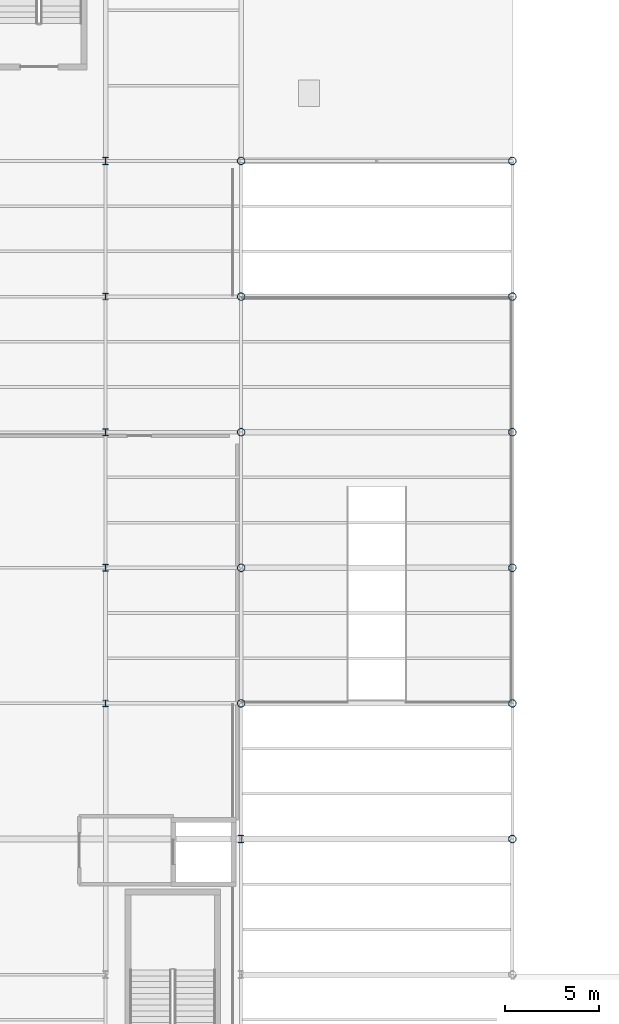
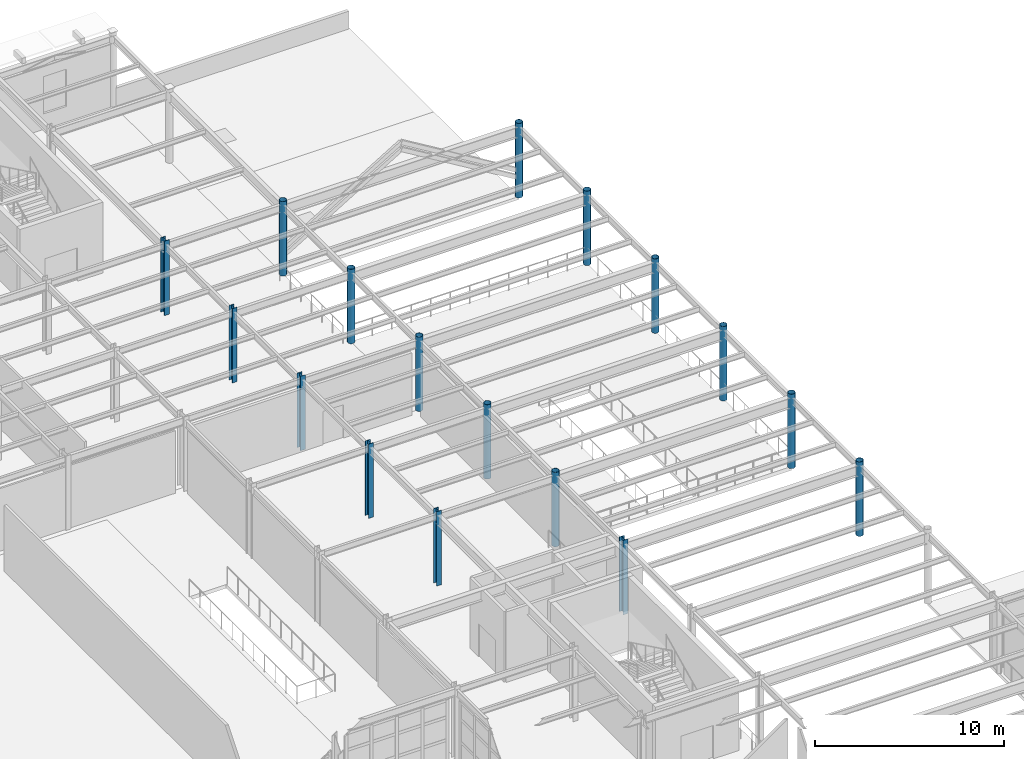
# One storey, part 12 of 126: 17 columns.
"""IFC4 building model written with IfcOpenShell, lengths in metres."""

from ifc_helpers import new_model, si_unit, direction, frame, origin, origin_2d, place, context, subcontext, project, spatial, hollow_circle, i_section, extrude, material, material_profile, profile_set, type_object, element, save


model = new_model("IFC4")

# Units and contexts
model_context = context("Model", 3, precision=1e-05, world=origin(), true_north=direction((0.0, 1.0)))
body_context = subcontext(model_context, "Body", "Model", "MODEL_VIEW")
ifc_project = project(units=[si_unit("LENGTHUNIT", "METRE"), si_unit("AREAUNIT", "SQUARE_METRE"), si_unit("VOLUMEUNIT", "CUBIC_METRE"), si_unit("PLANEANGLEUNIT", "RADIAN"), si_unit("MASSUNIT", "GRAM", prefix="KILO")], contexts=[model_context])

# Site, building, storey
site_placement = place(None, origin())
site = spatial("IfcSite", under=ifc_project, at=site_placement, CompositionType="ELEMENT")
building_placement = place(site_placement, origin())
building = spatial("IfcBuilding", under=site, at=building_placement, Name="Solvadek Multi-Sports Hall", CompositionType="ELEMENT")
storey_placement = place(building_placement, frame((0.0, 0.0, 9.60009765625)))
storey = spatial("IfcBuildingStorey", under=building, at=storey_placement, Name="L02", CompositionType="ELEMENT", Elevation=9.60009765625)

# Columns
ifc_material = material(Name="Steel E350 (350 MPa)", Category="steel")
ifc_material_profile_1 = material_profile(ifc_material, hollow_circle(Radius=0.203125, WallThickness=0.01611328125, at=origin_2d()), Name="CHS 406.4x16")
ifc_profile_set_1 = profile_set([ifc_material_profile_1], Name="Steel E350 (350 MPa)")
column_type_1 = type_object("IfcColumnType", Name="STR-COL-CHS406", PredefinedType="COLUMN", material=ifc_profile_set_1)
for number, where, z_axis, x_axis, name in (
    (1, (72.0, 63.60009765625, 0.0), (0.0, 0.0, 1.0), (1.0, 0.0, 0.0), "L02 Column C-11 #153"),
    (2, (72.0, 70.800048828125, 0.0), (0.0, 0.0, 1.0), (1.0, 0.0, 0.0), "L02 Column C-11 #154"),
    (3, (72.0, 78.0, 0.0), (0.0, 0.0, 1.0), (1.0, 0.0, 0.0), "L02 Column C-11 #155"),
    (4, (72.0, 85.199951171875, 0.0), (0.0, 0.0, 1.0), (1.0, 0.0, 0.0), "L02 Column C-11 #156"),
    (5, (72.0, 92.39990234375, 0.0), (0.0, 0.0, 1.0), (1.0, 0.0, 0.0), "L02 Column C-11 #157"),
    (6, (86.39990234375, 56.39990234375, 0.0), (0.0, 0.0, 1.0), (1.0, 0.0, 0.0), "L02 Column C-11 #182"),
    (7, (86.39990234375, 63.60009765625, 0.0), (0.0, 0.0, 1.0), (1.0, 0.0, 0.0), "L02 Column C-11 #183"),
    (8, (86.39990234375, 70.800048828125, 0.0), (0.0, 0.0, 1.0), (1.0, 0.0, 0.0), "L02 Column C-11 #184"),
    (9, (86.39990234375, 78.0, 0.0), (0.0, 0.0, 1.0), (1.0, 0.0, 0.0), "L02 Column C-11 #185"),
    (10, (86.39990234375, 85.199951171875, 0.0), (0.0, 0.0, 1.0), (1.0, 0.0, 0.0), "L02 Column C-11 #186"),
    (11, (86.39990234375, 92.39990234375, 0.0), (0.0, 0.0, 1.0), (1.0, 0.0, 0.0), "L02 Column C-11 #187"),
):
    element("IfcColumn", number, at=place(storey_placement, frame(where, z_axis=z_axis, x_axis=x_axis)), inside=storey, type_object=column_type_1, Name=name, PredefinedType="COLUMN", context=body_context, shape_type="SweptSolid", body=[
        extrude(hollow_circle(Radius=0.203125, WallThickness=0.01611328125, at=origin_2d()), origin(), (0.0, 0.0, 1.0), 4.7998046875),
    ])
ifc_material_profile_2 = material_profile(ifc_material, i_section(OverallWidth=0.300048828125, OverallDepth=0.360107421875, WebThickness=0.012451171875, FlangeThickness=0.0224609375, at=origin_2d()), Name="WPB 360")
ifc_profile_set_2 = profile_set([ifc_material_profile_2], Name="Steel E350 (350 MPa)")
column_type_2 = type_object("IfcColumnType", Name="STR-COL-WPB360", PredefinedType="COLUMN", material=ifc_profile_set_2)
for number, where, z_axis, x_axis, name in (
    (12, (64.800048828125, 63.60009765625, 0.0), (0.0, 0.0, 1.0), (1.0, 0.0, 0.0), "L02 Column C-08 #137"),
    (13, (64.800048828125, 70.800048828125, 0.0), (0.0, 0.0, 1.0), (1.0, 0.0, 0.0), "L02 Column C-08 #138"),
    (14, (64.800048828125, 78.0, 0.0), (0.0, 0.0, 1.0), (1.0, 0.0, 0.0), "L02 Column C-08 #139"),
    (15, (64.800048828125, 85.199951171875, 0.0), (0.0, 0.0, 1.0), (1.0, 0.0, 0.0), "L02 Column C-08 #140"),
):
    element("IfcColumn", number, at=place(storey_placement, frame(where, z_axis=z_axis, x_axis=x_axis)), inside=storey, type_object=column_type_2, Name=name, PredefinedType="COLUMN", context=body_context, shape_type="SweptSolid", body=[
        extrude(i_section(OverallWidth=0.300048828125, OverallDepth=0.360107421875, WebThickness=0.012451171875, FlangeThickness=0.0224609375, at=origin_2d()), origin(), (0.0, 0.0, 1.0), 4.7998046875),
    ])
ifc_material_profile_3 = material_profile(ifc_material, i_section(OverallWidth=0.300048828125, OverallDepth=0.39990234375, WebThickness=0.013427734375, FlangeThickness=0.02392578125, at=origin_2d()), Name="WPB 400")
ifc_profile_set_3 = profile_set([ifc_material_profile_3], Name="Steel E350 (350 MPa)")
column_type_3 = type_object("IfcColumnType", Name="STR-COL-WPB400", PredefinedType="COLUMN", material=ifc_profile_set_3)
for number, where, z_axis, x_axis, name in (
    (16, (64.800048828125, 92.39990234375, 0.0), (0.0, 0.0, 1.0), (1.0, 0.0, 0.0), "L02 Column C-07 #141"),
    (17, (72.0, 56.39990234375, 0.0), (0.0, 0.0, 1.0), (1.0, 0.0, 0.0), "L02 Column C-07 #152"),
):
    element("IfcColumn", number, at=place(storey_placement, frame(where, z_axis=z_axis, x_axis=x_axis)), inside=storey, type_object=column_type_3, Name=name, PredefinedType="COLUMN", context=body_context, shape_type="SweptSolid", body=[
        extrude(i_section(OverallWidth=0.300048828125, OverallDepth=0.39990234375, WebThickness=0.013427734375, FlangeThickness=0.02392578125, at=origin_2d()), origin(), (0.0, 0.0, 1.0), 4.7998046875),
    ])

save(model, "model.ifc")
